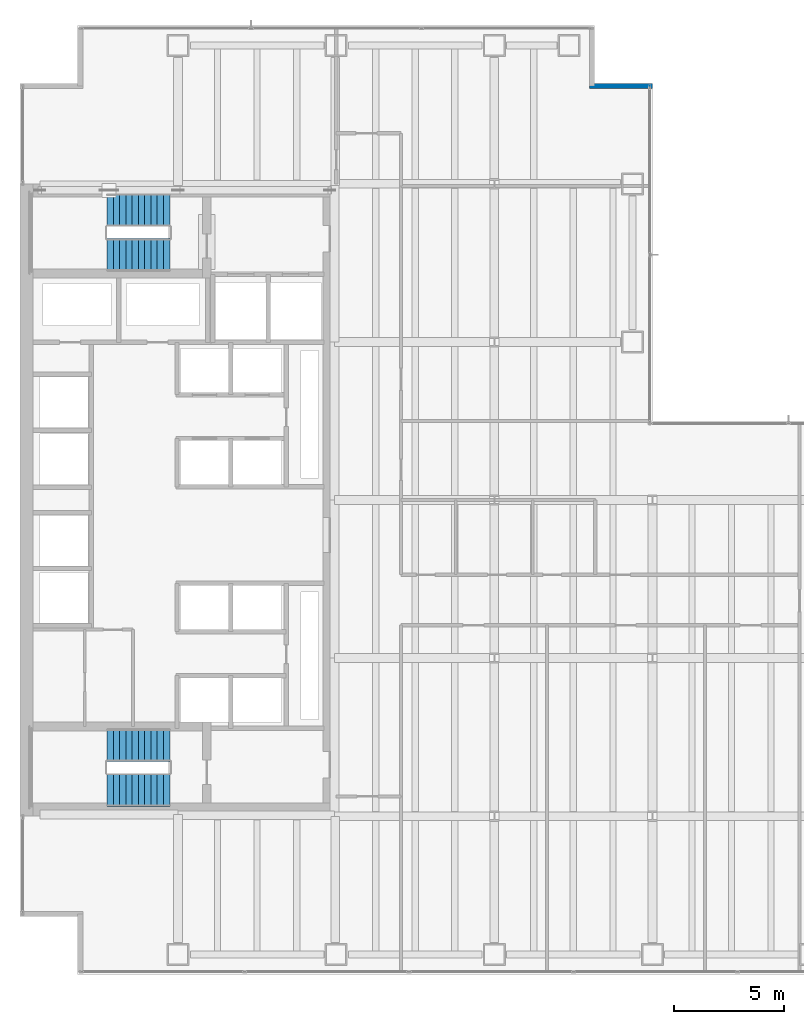
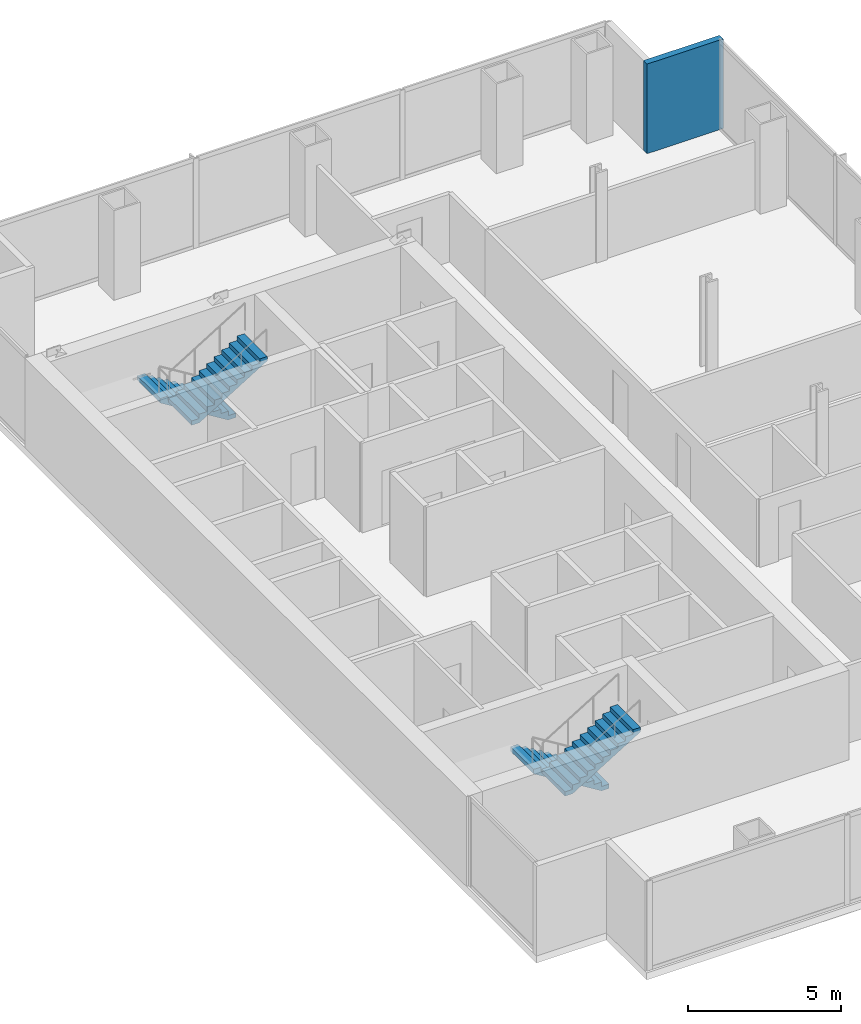
# One storey, part 22 of 25: 4 stair flights, 1 wall, 2 elements without a shape of their own.
"""IFC4 building model written with IfcOpenShell, lengths in metres."""

from ifc_helpers import new_model, si_unit, direction, frame, frame_2d, origin, place, context, subcontext, project, spatial, polyline, rectangle, outline, extrude, material, layer, layer_set, type_object, element, aggregate, save


model = new_model("IFC4")

# Units and contexts
model_context = context("Model", 3, precision=1e-05, world=origin(), true_north=direction((0.0, 1.0)))
body_context = subcontext(model_context, "Body", "Model", "MODEL_VIEW")
ifc_project = project(units=[si_unit("LENGTHUNIT", "METRE"), si_unit("AREAUNIT", "SQUARE_METRE"), si_unit("VOLUMEUNIT", "CUBIC_METRE"), si_unit("PLANEANGLEUNIT", "RADIAN"), si_unit("MASSUNIT", "GRAM", prefix="KILO")], contexts=[model_context])

# Site, building, storey
site_placement = place(None, origin())
site = spatial("IfcSite", under=ifc_project, at=site_placement, CompositionType="ELEMENT")
building_placement = place(site_placement, origin())
building = spatial("IfcBuilding", under=site, at=building_placement, Name="Cobrela Telecom Tower", CompositionType="ELEMENT")
storey_placement = place(building_placement, frame((0.0, 0.0, 46.550048828125)))
storey = spatial("IfcBuildingStorey", under=building, at=storey_placement, Name="L11", CompositionType="ELEMENT", Elevation=46.550048828125)

# Wall
ifc_material = material(Name="Concrete C40/50", Category="concrete")
ifc_layer = layer(ifc_material, 0.239990234375)
ifc_layer_set = layer_set([ifc_layer], Name="Concrete C40/50")
wall_type = type_object("IfcWallType", Name="WALL-EXT-300", PredefinedType="STANDARD", material=ifc_layer_set)
wall_placement = place(storey_placement, frame((25.929931640625, 40.449951171875, 0.0), z_axis=(0.0, 0.0, 1.0), x_axis=(1.0, 0.0, 0.0)))
element("IfcWall", 1, at=wall_placement, inside=storey, type_object=wall_type, Name="L11 Insulated Facade Wall 09", PredefinedType="STANDARD", context=body_context, shape_type="SweptSolid", body=[
    extrude(rectangle(XDim=2.8701171875, YDim=0.239990234375, at=frame_2d((1.43505859375, 0.0))), origin(), (0.0, 0.0, 1.0), 3.570068359375),
])

# Stair, stair flights
stair_type = type_object("IfcStairType", Name="STAIR-CORE", PredefinedType="HALF_TURN_STAIR", material=ifc_material)
stair_1_placement = place(storey_placement, origin())
stair_1 = element("IfcStair", 2, at=stair_1_placement, inside=storey, type_object=stair_type, Name="L11 Smokeproof Exit Stair ST1", PredefinedType="HALF_TURN_STAIR")
stair_flight_type = type_object("IfcStairFlightType", Name="FLIGHT-CORE", PredefinedType="STRAIGHT", material=ifc_material)
stair_flight_1_placement = place(storey_placement, frame((6.820068359375, 34.800048828125, 0.0), z_axis=(0.0, 0.0, 1.0), x_axis=(-1.0, 0.0, 0.0)))
stair_flight_1 = element("IfcStairFlight", 3, at=stair_flight_1_placement, type_object=stair_flight_type, Name="ST1 flight 1", NumberOfRisers=11, NumberOfTreads=10, PredefinedType="STRAIGHT", RiserHeight=0.175, TreadLength=0.285, context=body_context, shape_type="SweptSolid", body=[
    extrude(outline(polyline([(0.0, 0.0), (0.0, 0.175048828125), (0.284912109375, 0.175048828125), (0.284912109375, 0.35009765625), (0.570068359375, 0.35009765625), (0.570068359375, 0.52490234375), (0.85498046875, 0.52490234375), (0.85498046875, 0.699951171875), (1.139892578125, 0.699951171875), (1.139892578125, 0.875), (1.425048828125, 0.875), (1.425048828125, 1.050048828125), (1.7099609375, 1.050048828125), (1.7099609375, 1.22509765625), (1.9951171875, 1.22509765625), (1.9951171875, 1.39990234375), (2.280029296875, 1.39990234375), (2.280029296875, 1.574951171875), (2.56494140625, 1.574951171875), (2.56494140625, 1.75), (2.85009765625, 1.75), (2.85009765625, 1.925048828125), (2.85009765625, 1.573974609375), (0.286376953125, 0.0), (0.0, 0.0)])), frame((0.0, 0.75, 0.0), z_axis=(0.0, -1.0, 0.0), x_axis=(1.0, 0.0, 0.0)), (0.0, 0.0, 1.0), 1.5),
])
stair_flight_2_placement = place(storey_placement, frame((3.969970703125, 32.75, 1.925048828125), z_axis=(0.0, 0.0, 1.0), x_axis=(1.0, 0.0, 0.0)))
stair_flight_2 = element("IfcStairFlight", 4, at=stair_flight_2_placement, type_object=stair_flight_type, Name="ST1 flight 2", NumberOfRisers=11, NumberOfTreads=10, PredefinedType="STRAIGHT", RiserHeight=0.175, TreadLength=0.285, context=body_context, shape_type="SweptSolid", body=[
    extrude(outline(polyline([(0.0, 0.0), (0.0, 0.175048828125), (0.284912109375, 0.175048828125), (0.284912109375, 0.35009765625), (0.570068359375, 0.35009765625), (0.570068359375, 0.52490234375), (0.85498046875, 0.52490234375), (0.85498046875, 0.699951171875), (1.139892578125, 0.699951171875), (1.139892578125, 0.875), (1.425048828125, 0.875), (1.425048828125, 1.050048828125), (1.7099609375, 1.050048828125), (1.7099609375, 1.22509765625), (1.9951171875, 1.22509765625), (1.9951171875, 1.39990234375), (2.280029296875, 1.39990234375), (2.280029296875, 1.574951171875), (2.56494140625, 1.574951171875), (2.56494140625, 1.75), (2.85009765625, 1.75), (2.85009765625, 1.925048828125), (2.85009765625, 1.573974609375), (0.286376953125, 0.0), (0.0, 0.0)])), frame((0.0, 0.75, 0.0), z_axis=(0.0, -1.0, 0.0), x_axis=(1.0, 0.0, 0.0)), (0.0, 0.0, 1.0), 1.5),
])
aggregate(stair_1, [stair_flight_1, stair_flight_2])

stair_2_placement = place(storey_placement, origin())
stair_2 = element("IfcStair", 5, at=stair_2_placement, inside=storey, type_object=stair_type, Name="L11 Smokeproof Exit Stair ST2", PredefinedType="HALF_TURN_STAIR")
stair_flight_3_placement = place(storey_placement, frame((6.820068359375, 10.449951171875, 0.0), z_axis=(0.0, 0.0, 1.0), x_axis=(-1.0, 0.0, 0.0)))
stair_flight_3 = element("IfcStairFlight", 6, at=stair_flight_3_placement, type_object=stair_flight_type, Name="ST2 flight 1", NumberOfRisers=11, NumberOfTreads=10, PredefinedType="STRAIGHT", RiserHeight=0.175, TreadLength=0.285, context=body_context, shape_type="SweptSolid", body=[
    extrude(outline(polyline([(0.0, 0.0), (0.0, 0.175048828125), (0.284912109375, 0.175048828125), (0.284912109375, 0.35009765625), (0.570068359375, 0.35009765625), (0.570068359375, 0.52490234375), (0.85498046875, 0.52490234375), (0.85498046875, 0.699951171875), (1.139892578125, 0.699951171875), (1.139892578125, 0.875), (1.425048828125, 0.875), (1.425048828125, 1.050048828125), (1.7099609375, 1.050048828125), (1.7099609375, 1.22509765625), (1.9951171875, 1.22509765625), (1.9951171875, 1.39990234375), (2.280029296875, 1.39990234375), (2.280029296875, 1.574951171875), (2.56494140625, 1.574951171875), (2.56494140625, 1.75), (2.85009765625, 1.75), (2.85009765625, 1.925048828125), (2.85009765625, 1.573974609375), (0.286376953125, 0.0), (0.0, 0.0)])), frame((0.0, 0.75, 0.0), z_axis=(0.0, -1.0, 0.0), x_axis=(1.0, 0.0, 0.0)), (0.0, 0.0, 1.0), 1.5),
])
stair_flight_4_placement = place(storey_placement, frame((3.969970703125, 8.39990234375, 1.925048828125), z_axis=(0.0, 0.0, 1.0), x_axis=(1.0, 0.0, 0.0)))
stair_flight_4 = element("IfcStairFlight", 7, at=stair_flight_4_placement, type_object=stair_flight_type, Name="ST2 flight 2", NumberOfRisers=11, NumberOfTreads=10, PredefinedType="STRAIGHT", RiserHeight=0.175, TreadLength=0.285, context=body_context, shape_type="SweptSolid", body=[
    extrude(outline(polyline([(0.0, 0.0), (0.0, 0.175048828125), (0.284912109375, 0.175048828125), (0.284912109375, 0.35009765625), (0.570068359375, 0.35009765625), (0.570068359375, 0.52490234375), (0.85498046875, 0.52490234375), (0.85498046875, 0.699951171875), (1.139892578125, 0.699951171875), (1.139892578125, 0.875), (1.425048828125, 0.875), (1.425048828125, 1.050048828125), (1.7099609375, 1.050048828125), (1.7099609375, 1.22509765625), (1.9951171875, 1.22509765625), (1.9951171875, 1.39990234375), (2.280029296875, 1.39990234375), (2.280029296875, 1.574951171875), (2.56494140625, 1.574951171875), (2.56494140625, 1.75), (2.85009765625, 1.75), (2.85009765625, 1.925048828125), (2.85009765625, 1.573974609375), (0.286376953125, 0.0), (0.0, 0.0)])), frame((0.0, 0.75, 0.0), z_axis=(0.0, -1.0, 0.0), x_axis=(1.0, 0.0, 0.0)), (0.0, 0.0, 1.0), 1.5),
])
aggregate(stair_2, [stair_flight_3, stair_flight_4])

save(model, "model.ifc")
